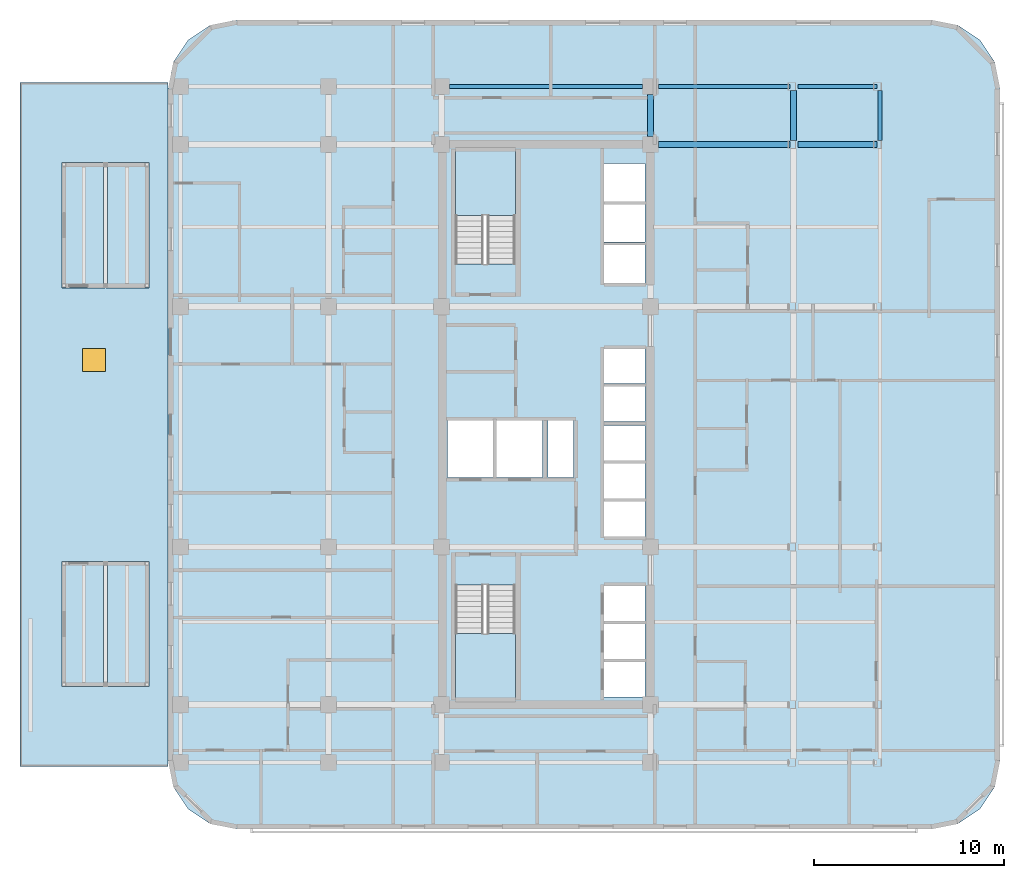
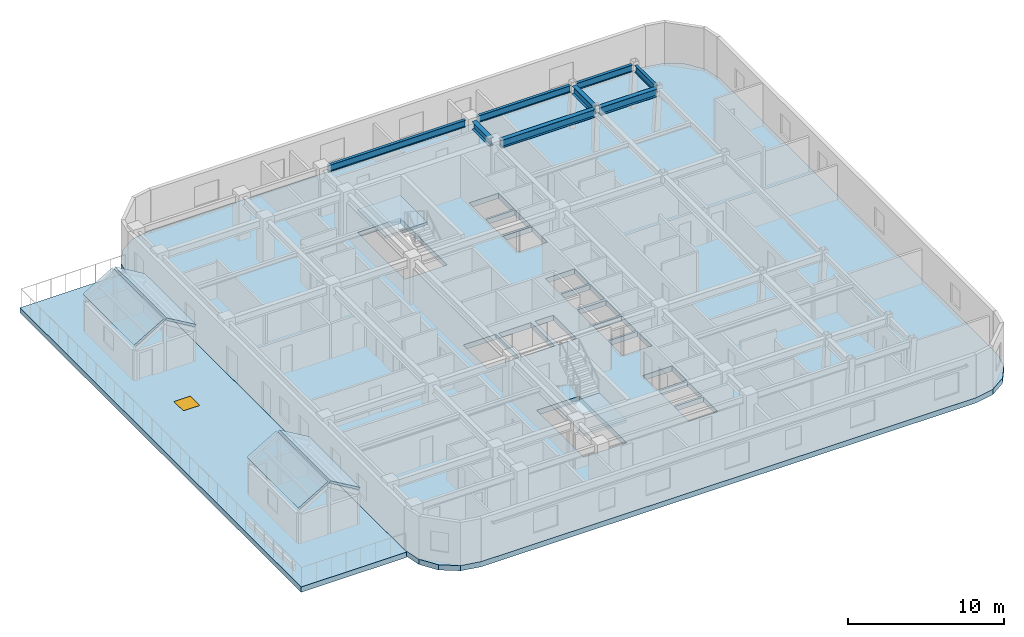
# One storey, part 7 of 19: 8 beams, 8 slabs, 1 window, 1 opening, 2 elements without a shape of their own.
"""IFC4 building model written with IfcOpenShell, lengths in metres."""

from ifc_helpers import new_model, si_unit, direction, frame, origin, origin_2d, place, context, subcontext, project, spatial, polyline, rectangle, i_section, outline, extrude, material, layer, layer_set, material_profile, profile_set, type_object, element, fill, aggregate, save


model = new_model("IFC4")

# Units and contexts
model_context = context("Model", 3, precision=1e-05, world=origin(), true_north=direction((0.0, 1.0)))
body_context = subcontext(model_context, "Body", "Model", "MODEL_VIEW")
ifc_project = project(units=[si_unit("LENGTHUNIT", "METRE"), si_unit("AREAUNIT", "SQUARE_METRE"), si_unit("VOLUMEUNIT", "CUBIC_METRE"), si_unit("PLANEANGLEUNIT", "RADIAN"), si_unit("MASSUNIT", "GRAM", prefix="KILO")], contexts=[model_context])

# Site, building, storey
site_placement = place(None, origin())
site = spatial("IfcSite", under=ifc_project, at=site_placement, CompositionType="ELEMENT")
building_placement = place(site_placement, origin())
building = spatial("IfcBuilding", under=site, at=building_placement, Name="Ochreholt Gables", CompositionType="ELEMENT")
storey_placement = place(building_placement, frame((0.0, 0.0, 76.800048828125)))
storey = spatial("IfcBuildingStorey", under=building, at=storey_placement, Name="L19", CompositionType="ELEMENT", Elevation=76.800048828125)

# Beams
ifc_material_1 = material(Name="Steel CSA G40.21 350W", Category="steel")
ifc_material_profile_1 = material_profile(ifc_material_1, i_section(OverallWidth=0.323974609375, OverallDepth=0.611083984375, WebThickness=0.0126953125, FlangeThickness=0.01904296875, at=origin_2d()), Name="W610X155")
ifc_profile_set_1 = profile_set([ifc_material_profile_1], Name="Steel CSA G40.21 350W")
beam_type_1 = type_object("IfcBeamType", Name="BM-G-W610A", PredefinedType="BEAM", material=ifc_profile_set_1)
beam_1_placement = place(storey_placement, frame((35.62451171875, 38.75, 3.054443359375), z_axis=(1.0, 0.0, 0.0), x_axis=(0.0, 1.0, 0.0)))
element("IfcBeam", 1, at=beam_1_placement, inside=storey, type_object=beam_type_1, Name="L19 Beam TBG-L19-C2EM-Y5", PredefinedType="BEAM", context=body_context, shape_type="SweptSolid", body=[
    extrude(i_section(OverallWidth=0.323974609375, OverallDepth=0.611083984375, WebThickness=0.0126953125, FlangeThickness=0.01904296875, at=origin_2d()), origin(), (0.0, 0.0, 1.0), 6.9228515625),
])
beam_2_placement = place(storey_placement, frame((42.95263671875, 38.75, 3.054443359375), z_axis=(1.0, 0.0, 0.0), x_axis=(0.0, 1.0, 0.0)))
element("IfcBeam", 2, at=beam_2_placement, inside=storey, type_object=beam_type_1, Name="L19 Beam TBG-L19-EMEE-Y5", PredefinedType="BEAM", context=body_context, shape_type="SweptSolid", body=[
    extrude(i_section(OverallWidth=0.323974609375, OverallDepth=0.611083984375, WebThickness=0.0126953125, FlangeThickness=0.01904296875, at=origin_2d()), origin(), (0.0, 0.0, 1.0), 4.164794921875),
])
beam_3_placement = place(storey_placement, frame((35.199951171875, 39.174560546875, 3.054443359375), z_axis=(0.0, 1.0, 0.0), x_axis=(-1.0, 0.0, 0.0)))
element("IfcBeam", 3, at=beam_3_placement, inside=storey, type_object=beam_type_1, Name="L19 Beam TBN-L19-C2-Y5Y6", PredefinedType="BEAM", context=body_context, shape_type="SweptSolid", body=[
    extrude(i_section(OverallWidth=0.323974609375, OverallDepth=0.611083984375, WebThickness=0.0126953125, FlangeThickness=0.01904296875, at=origin_2d()), origin(), (0.0, 0.0, 1.0), 2.200927734375),
])
beam_4_placement = place(storey_placement, frame((42.73291015625, 38.95263671875, 3.054443359375), z_axis=(0.0, 1.0, 0.0), x_axis=(-1.0, 0.0, 0.0)))
element("IfcBeam", 4, at=beam_4_placement, inside=storey, type_object=beam_type_1, Name="L19 Beam TBN-L19-EM-Y5Y6", PredefinedType="BEAM", context=body_context, shape_type="SweptSolid", body=[
    extrude(i_section(OverallWidth=0.323974609375, OverallDepth=0.611083984375, WebThickness=0.0126953125, FlangeThickness=0.01904296875, at=origin_2d()), origin(), (0.0, 0.0, 1.0), 2.644775390625),
])
ifc_material_profile_2 = material_profile(ifc_material_1, i_section(OverallWidth=0.208984375, OverallDepth=0.532958984375, WebThickness=0.01025390625, FlangeThickness=0.015625, at=origin_2d()), Name="W530X92")
ifc_profile_set_2 = profile_set([ifc_material_profile_2], Name="Steel CSA G40.21 350W")
beam_type_2 = type_object("IfcBeamType", Name="BM-SP-W530B", PredefinedType="SPANDREL", material=ifc_profile_set_2)
beam_5_placement = place(storey_placement, frame((24.62451171875, 41.800048828125, 3.093505859375), z_axis=(1.0, 0.0, 0.0), x_axis=(0.0, 1.0, 0.0)))
element("IfcBeam", 5, at=beam_5_placement, inside=storey, type_object=beam_type_2, Name="L19 Beam TBG-L19-C1C2-Y6", PredefinedType="SPANDREL", context=body_context, shape_type="SweptSolid", body=[
    extrude(i_section(OverallWidth=0.208984375, OverallDepth=0.532958984375, WebThickness=0.01025390625, FlangeThickness=0.015625, at=origin_2d()), origin(), (0.0, 0.0, 1.0), 10.15087890625),
])
beam_6_placement = place(storey_placement, frame((35.62451171875, 41.800048828125, 3.093505859375), z_axis=(1.0, 0.0, 0.0), x_axis=(0.0, 1.0, 0.0)))
element("IfcBeam", 6, at=beam_6_placement, inside=storey, type_object=beam_type_2, Name="L19 Beam TBG-L19-C2EM-Y6", PredefinedType="SPANDREL", context=body_context, shape_type="SweptSolid", body=[
    extrude(i_section(OverallWidth=0.208984375, OverallDepth=0.532958984375, WebThickness=0.01025390625, FlangeThickness=0.015625, at=origin_2d()), origin(), (0.0, 0.0, 1.0), 6.9228515625),
])
beam_7_placement = place(storey_placement, frame((42.95263671875, 41.800048828125, 3.093505859375), z_axis=(1.0, 0.0, 0.0), x_axis=(0.0, 1.0, 0.0)))
element("IfcBeam", 7, at=beam_7_placement, inside=storey, type_object=beam_type_2, Name="L19 Beam TBG-L19-EMEE-Y6", PredefinedType="SPANDREL", context=body_context, shape_type="SweptSolid", body=[
    extrude(i_section(OverallWidth=0.208984375, OverallDepth=0.532958984375, WebThickness=0.01025390625, FlangeThickness=0.015625, at=origin_2d()), origin(), (0.0, 0.0, 1.0), 4.164794921875),
])
beam_8_placement = place(storey_placement, frame((47.29150390625, 38.95263671875, 3.093505859375), z_axis=(0.0, 1.0, 0.0), x_axis=(-1.0, 0.0, 0.0)))
element("IfcBeam", 8, at=beam_8_placement, inside=storey, type_object=beam_type_2, Name="L19 Beam TBN-L19-EE-Y5Y6", PredefinedType="SPANDREL", context=body_context, shape_type="SweptSolid", body=[
    extrude(i_section(OverallWidth=0.208984375, OverallDepth=0.532958984375, WebThickness=0.01025390625, FlangeThickness=0.015625, at=origin_2d()), origin(), (0.0, 0.0, 1.0), 2.644775390625),
])

# Stair, slab
ifc_material_2 = material(Name="Concrete 40 MPa", Category="concrete")
stair_type_1 = type_object("IfcStairType", Name="STAIR-CORE-ST-1", PredefinedType="HALF_TURN_STAIR", material=ifc_material_2)
stair_1_placement = place(storey_placement, origin())
stair_1 = element("IfcStair", 9, at=stair_1_placement, inside=storey, type_object=stair_type_1, Name="L19 Core Exit Stair 1", PredefinedType="HALF_TURN_STAIR")
ifc_layer_1 = layer(ifc_material_2, 0.199951171875, Name="Concrete 40 MPa")
ifc_layer_set_1 = layer_set([ifc_layer_1], Name="Concrete 40 MPa")
slab_type_1 = type_object("IfcSlabType", Name="LANDING-RC200", PredefinedType="LANDING", material=ifc_layer_set_1)
slab_1_placement = place(storey_placement, frame((0.0, 0.0, 1.599853515625)))
slab_1 = element("IfcSlab", 10, at=slab_1_placement, type_object=slab_type_1, Name="ST-1 landing 1", PredefinedType="LANDING", context=body_context, shape_type="SweptSolid", body=[
    extrude(outline(polyline([(24.919921875, 13.001953125), (24.919921875, 9.52001953125), (28.080078125, 9.52001953125), (28.080078125, 13.001953125), (24.919921875, 13.001953125)])), origin(), (0.0, 0.0, 1.0), 0.2001953125),
])
aggregate(stair_1, [slab_1])

stair_type_2 = type_object("IfcStairType", Name="STAIR-CORE-ST-2", PredefinedType="HALF_TURN_STAIR", material=ifc_material_2)
stair_2_placement = place(storey_placement, origin())
stair_2 = element("IfcStair", 11, at=stair_2_placement, inside=storey, type_object=stair_type_2, Name="L19 Core Exit Stair 2", PredefinedType="HALF_TURN_STAIR")
slab_2_placement = place(storey_placement, frame((0.0, 0.0, 1.599853515625)))
slab_2 = element("IfcSlab", 12, at=slab_2_placement, type_object=slab_type_1, Name="ST-2 landing 1", PredefinedType="LANDING", context=body_context, shape_type="SweptSolid", body=[
    extrude(outline(polyline([(28.080078125, 34.998046875), (28.080078125, 38.47998046875), (24.919921875, 38.47998046875), (24.919921875, 34.998046875), (28.080078125, 34.998046875)])), origin(), (0.0, 0.0, 1.0), 0.2001953125),
])
aggregate(stair_2, [slab_2])

# Slabs
ifc_material_3 = material(Name="Precast concrete 40 MPa", Category="concrete")
ifc_layer_2 = layer(ifc_material_3, 0.179931640625, Name="Precast concrete 40 MPa")
ifc_layer_set_2 = layer_set([ifc_layer_2], Name="Precast concrete 40 MPa")
slab_type_2 = type_object("IfcSlabType", Name="SLAB-GAB-180", PredefinedType="ROOF", material=ifc_layer_set_2)
for number, where, z_axis, x_axis, name in (
    (13, (4.199951171875, 10.199951171875, 2.849853515625), (-0.506244016246, 0.0, 0.862390280566), (0.862390280566, 0.0, 0.506244016246), "L19 Gable West Roof Slope GB-19W1"),
    (14, (6.606201171875, 10.199951171875, 4.1376953125), (0.506244016246, 0.0, 0.862390280566), (0.862390280566, 0.0, -0.506244016246), "L19 Gable East Roof Slope GB-19W1"),
    (15, (4.199951171875, 31.199951171875, 2.849853515625), (-0.506244016246, 0.0, 0.862390280566), (0.862390280566, 0.0, 0.506244016246), "L19 Gable West Roof Slope GB-19W2"),
    (16, (6.606201171875, 31.199951171875, 4.1376953125), (0.506244016246, 0.0, 0.862390280566), (0.862390280566, 0.0, -0.506244016246), "L19 Gable East Roof Slope GB-19W2"),
):
    element("IfcSlab", number, at=place(storey_placement, frame(where, z_axis=z_axis, x_axis=x_axis)), inside=storey, type_object=slab_type_2, Name=name, PredefinedType="ROOF", context=body_context, shape_type="SweptSolid", body=[
        extrude(outline(polyline([(0.0, 0.0), (2.543915099332493, 0.0), (2.543915099332493, 6.60009765625), (0.0, 6.60009765625), (0.0, 0.0)])), origin(), (0.0, 0.0, -1.0), 0.179931640625),
    ])
ifc_material_4 = material(Name="Concrete 50 MPa", Category="concrete")
ifc_layer_3 = layer(ifc_material_4, 0.409912109375, Name="Concrete 50 MPa")
ifc_layer_set_3 = layer_set([ifc_layer_3], Name="Concrete 50 MPa")
slab_type_3 = type_object("IfcSlabType", Name="SLAB-TER-410", PredefinedType="FLOOR", material=ifc_layer_set_3)
slab_3_placement = place(storey_placement, frame((0.0, 0.0, -0.41015625)))
element("IfcSlab", 17, at=slab_3_placement, inside=storey, type_object=slab_type_3, Name="L19 Structural Floor Slab", PredefinedType="FLOOR", context=body_context, shape_type="SweptSolid", body=[
    extrude(outline(polyline([(9.800048828125, 6.300048828125), (10.073974609375, 4.92236328125), (10.8544921875, 3.75439453125), (12.022216796875, 2.97412109375), (13.39990234375, 2.699951171875), (50.0, 2.699951171875), (51.377685546875, 2.97412109375), (52.545654296875, 3.75439453125), (53.325927734375, 4.92236328125), (53.60009765625, 6.300048828125), (53.60009765625, 41.699951171875), (53.325927734375, 43.07763671875), (52.545654296875, 44.24560546875), (51.377685546875, 45.02587890625), (50.0, 45.300048828125), (13.39990234375, 45.300048828125), (12.022216796875, 45.02587890625), (10.8544921875, 44.24560546875), (10.073974609375, 43.07763671875), (9.800048828125, 41.699951171875), (9.800048828125, 6.300048828125)]), holes=[polyline([(24.919921875, 15.539306640625), (24.919921875, 9.52001953125), (28.080078125, 9.52001953125), (28.080078125, 15.539306640625), (24.919921875, 15.539306640625)]), polyline([(28.080078125, 32.460693359375), (28.080078125, 38.47998046875), (24.919921875, 38.47998046875), (24.919921875, 32.460693359375), (28.080078125, 32.460693359375)]), polyline([(24.5, 21.199951171875), (26.89990234375, 21.199951171875), (26.89990234375, 24.199951171875), (24.5, 24.199951171875), (24.5, 21.199951171875)]), polyline([(27.10009765625, 21.199951171875), (29.5, 21.199951171875), (29.5, 24.199951171875), (27.10009765625, 24.199951171875), (27.10009765625, 21.199951171875)]), polyline([(32.75, 9.64990234375), (34.89990234375, 9.64990234375), (34.89990234375, 11.5), (32.75, 11.5), (32.75, 9.64990234375)]), polyline([(32.75, 11.64990234375), (34.89990234375, 11.64990234375), (34.89990234375, 13.5), (32.75, 13.5), (32.75, 11.64990234375)]), polyline([(32.75, 13.64990234375), (34.89990234375, 13.64990234375), (34.89990234375, 15.5), (32.75, 15.5), (32.75, 13.64990234375)]), polyline([(32.75, 18.10009765625), (34.89990234375, 18.10009765625), (34.89990234375, 19.949951171875), (32.75, 19.949951171875), (32.75, 18.10009765625)]), polyline([(32.75, 20.10009765625), (34.89990234375, 20.10009765625), (34.89990234375, 21.949951171875), (32.75, 21.949951171875), (32.75, 20.10009765625)]), polyline([(32.75, 22.10009765625), (34.89990234375, 22.10009765625), (34.89990234375, 23.949951171875), (32.75, 23.949951171875), (32.75, 22.10009765625)]), polyline([(32.75, 24.14990234375), (34.89990234375, 24.14990234375), (34.89990234375, 26.0), (32.75, 26.0), (32.75, 24.14990234375)]), polyline([(32.75, 26.14990234375), (34.89990234375, 26.14990234375), (34.89990234375, 28.0), (32.75, 28.0), (32.75, 26.14990234375)]), polyline([(32.75, 31.449951171875), (34.89990234375, 31.449951171875), (34.89990234375, 33.449951171875), (32.75, 33.449951171875), (32.75, 31.449951171875)]), polyline([(32.75, 33.60009765625), (34.89990234375, 33.60009765625), (34.89990234375, 35.60009765625), (32.75, 35.60009765625), (32.75, 33.60009765625)]), polyline([(32.75, 35.75), (34.89990234375, 35.75), (34.89990234375, 37.75), (32.75, 37.75), (32.75, 35.75)]), polyline([(29.800048828125, 21.199951171875), (31.14990234375, 21.199951171875), (31.14990234375, 24.199951171875), (29.800048828125, 24.199951171875), (29.800048828125, 21.199951171875)])]), origin(), (0.0, 0.0, 1.0), 0.41015625),
])

# Slab, opening, window
slab_4_placement = place(storey_placement, frame((0.0, 0.0, -0.41015625)))
slab_4 = element("IfcSlab", 18, at=slab_4_placement, inside=storey, type_object=slab_type_3, Name="L19 Outdoor Terrace Slab TR-L19-W", PredefinedType="FLOOR", context=body_context, shape_type="SweptSolid", body=[
    extrude(outline(polyline([(2.0, 6.0), (9.7998046875, 6.0), (9.7998046875, 42.0), (2.0, 42.0), (2.0, 6.0)])), origin(), (0.0, 0.0, 1.0), 0.41015625),
])
opening_placement = place(slab_4_placement, frame((5.89990234375, 27.39990234375, 0.0)))
opening = element("IfcOpeningElement", 19, at=opening_placement, cuts=slab_4, Name="Opening SK-1", PredefinedType="OPENING", context=body_context, shape_type="SweptSolid", body=[
    extrude(rectangle(XDim=1.199951171875, YDim=1.199951171875, at=origin_2d()), frame((0.0, 0.0, -0.010009765625)), (0.0, 0.0, 1.0), 0.43017578125),
])
ifc_material_5 = material(Name="Triple-Glazed Thermally Broken Aluminium Window", Category="aluminium")
window_type = type_object("IfcWindowType", Name="SKY-TER-1200", PartitioningType="SINGLE_PANEL", PredefinedType="SKYLIGHT", material=ifc_material_5)
window_placement = place(opening_placement, frame((0.0, 0.0, 0.360107421875)))
window = element("IfcWindow", 20, at=window_placement, inside=storey, type_object=window_type, Name="L19 Terrace Daylight Skylight TR-L19-W", OverallHeight=1.199951171875, OverallWidth=1.199951171875, PartitioningType="SINGLE_PANEL", PredefinedType="SKYLIGHT", context=body_context, shape_type="SweptSolid", body=[
    extrude(rectangle(XDim=1.199951171875, YDim=1.199951171875, at=origin_2d()), origin(), (0.0, 0.0, 1.0), 0.050048828125),
])
fill(opening, window)

save(model, "model.ifc")
